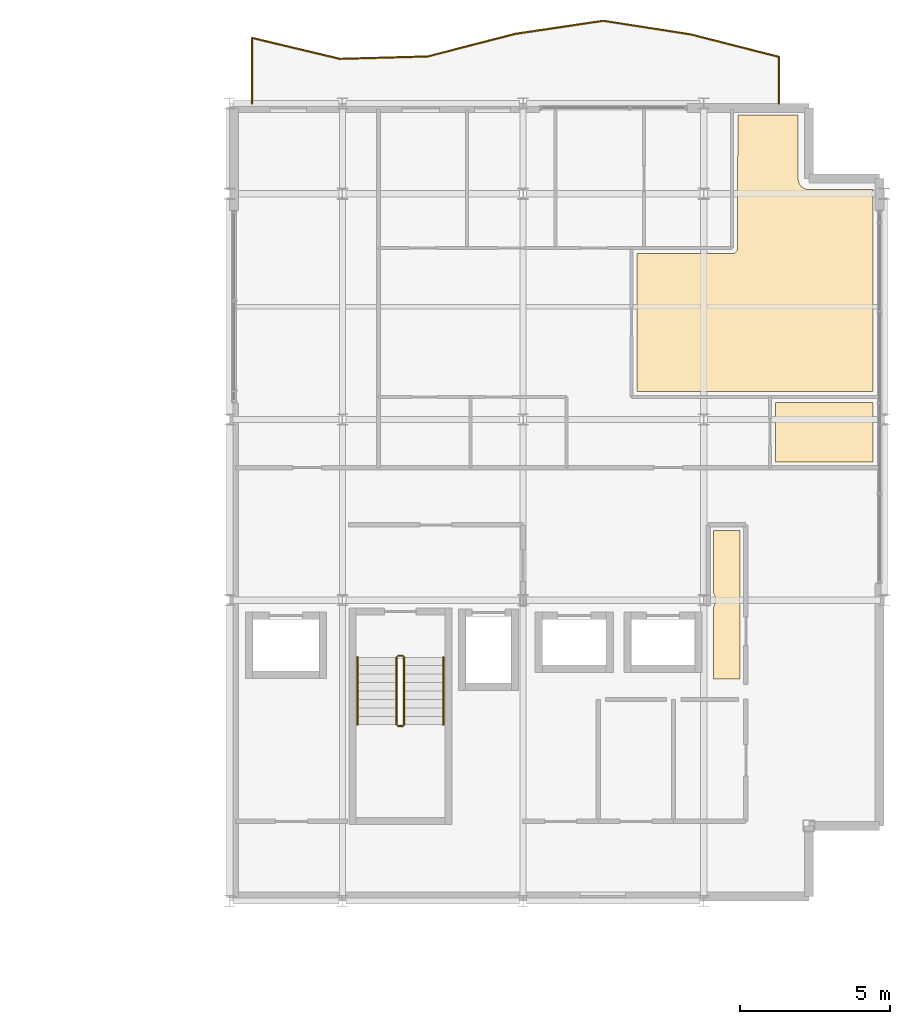
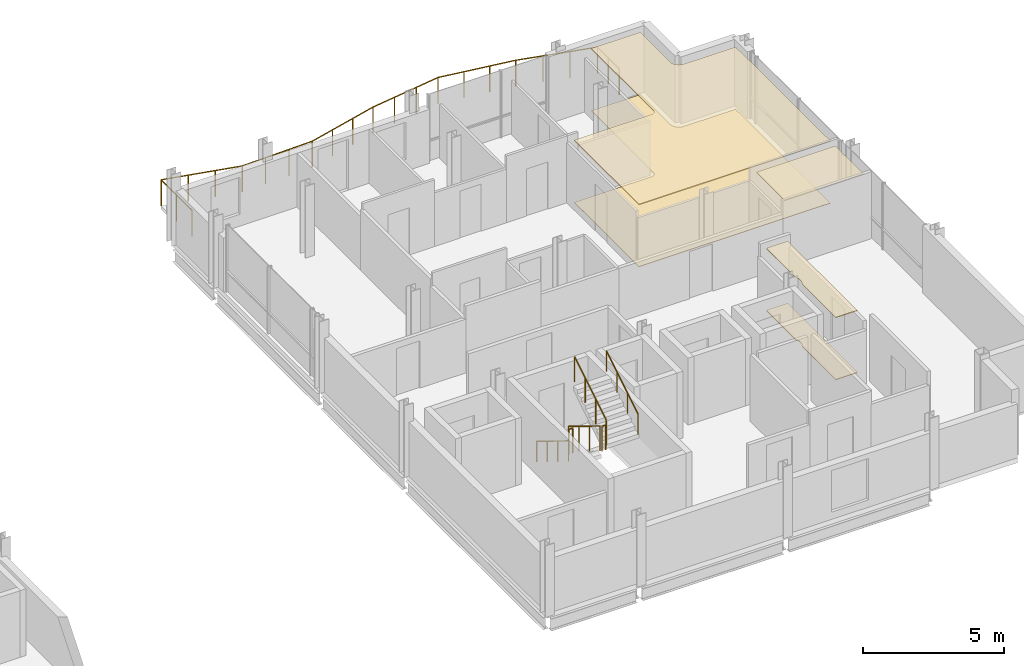
# One storey, part 29 of 29: 7 railings, 5 coverings.
"""IFC4 building model written with IfcOpenShell, lengths in metres."""

from ifc_helpers import new_model, si_unit, direction, frame, origin, origin_2d, place, context, subcontext, project, spatial, polyline, circle, outline, extrude, material, layer, layer_set, type_object, element, save


model = new_model("IFC4")

# Units and contexts
model_context = context("Model", 3, precision=1e-05, world=origin(), true_north=direction((0.0, 1.0)))
body_context = subcontext(model_context, "Body", "Model", "MODEL_VIEW")
ifc_project = project(units=[si_unit("LENGTHUNIT", "METRE"), si_unit("AREAUNIT", "SQUARE_METRE"), si_unit("VOLUMEUNIT", "CUBIC_METRE"), si_unit("PLANEANGLEUNIT", "RADIAN"), si_unit("MASSUNIT", "GRAM", prefix="KILO")], contexts=[model_context])

# Site, building, storey
site_placement = place(None, origin())
site = spatial("IfcSite", under=ifc_project, at=site_placement, CompositionType="ELEMENT")
building_placement = place(site_placement, origin())
building = spatial("IfcBuilding", under=site, at=building_placement, Name="Brevholm Reach", CompositionType="ELEMENT")
storey_placement = place(building_placement, frame((0.0, 0.0, 208.0)))
storey = spatial("IfcBuildingStorey", under=building, at=storey_placement, Name="L63", CompositionType="ELEMENT", Elevation=208.0)

# Coverings
ifc_material_1 = material(Name="Perforated Mineral-Fibre Class-A Acoustic Suspended Ceiling", Category="gypsum")
ifc_layer_1 = layer(ifc_material_1, 0.044921875)
ifc_layer_set_1 = layer_set([ifc_layer_1], Name="Perforated Mineral-Fibre Class-A Acoustic Suspended Ceiling")
covering_type_1 = type_object("IfcCoveringType", Name="COV-CLG-AC", PredefinedType="CEILING", material=ifc_layer_set_1)
covering_1_placement = place(storey_placement, frame((0.0, 0.0, 2.675048828125)))
element("IfcCovering", 1, at=covering_1_placement, inside=storey, type_object=covering_type_1, Name="L63 Suspended Ceiling L63-51", PredefinedType="CEILING", context=body_context, shape_type="SweptSolid", body=[
    extrude(outline(polyline([(51.780029296875, 16.929931640625), (51.780029296875, 21.51611328125), (54.952392578125, 21.516845703125), (54.97021484375, 21.517822265625), (54.98779296875, 21.5205078125), (55.0048828125, 21.524658203125), (55.021484375, 21.530517578125), (55.037353515625, 21.5380859375), (55.052490234375, 21.547119140625), (55.066650390625, 21.557861328125), (55.079833984375, 21.569580078125), (55.091552734375, 21.582763671875), (55.102294921875, 21.596923828125), (55.111083984375, 21.612060546875), (55.118896484375, 21.6279296875), (55.124755859375, 21.64453125), (55.12890625, 21.66162109375), (55.131591796875, 21.67919921875), (55.132568359375, 21.69677734375), (55.1337890625, 26.1201171875), (57.139892578125, 26.1201171875), (57.139892578125, 24.0), (57.140869140625, 23.982177734375), (57.144287109375, 23.947021484375), (57.14697265625, 23.9296875), (57.151123046875, 23.912841796875), (57.161376953125, 23.879150390625), (57.167236328125, 23.8623046875), (57.1748046875, 23.84619140625), (57.19140625, 23.815185546875), (57.20068359375, 23.800048828125), (57.211181640625, 23.785888671875), (57.2333984375, 23.758544921875), (57.245361328125, 23.745361328125), (57.258544921875, 23.7333984375), (57.285888671875, 23.711181640625), (57.300048828125, 23.70068359375), (57.315185546875, 23.69140625), (57.34619140625, 23.6748046875), (57.3623046875, 23.667236328125), (57.379150390625, 23.661376953125), (57.412841796875, 23.651123046875), (57.4296875, 23.64697265625), (57.447021484375, 23.644287109375), (57.482177734375, 23.640869140625), (57.5, 23.639892578125), (59.6201171875, 23.639892578125), (59.6201171875, 23.623779296875), (59.6171875, 23.6162109375), (59.607666015625, 23.577880859375), (59.601806640625, 23.539306640625), (59.60009765625, 23.5), (59.601806640625, 23.460693359375), (59.607666015625, 23.422119140625), (59.6171875, 23.3837890625), (59.6201171875, 23.376220703125), (59.6201171875, 16.93408203125), (56.199951171875, 16.93408203125), (56.182373046875, 16.93310546875), (56.164794921875, 16.930419921875), (56.16259765625, 16.929931640625), (51.780029296875, 16.929931640625)])), origin(), (0.0, 0.0, 1.0), 0.044921875),
])
ifc_material_2 = material(Name="Moisture-Resistant Skimmed Gypsum Plasterboard Ceiling", Category="gypsum")
ifc_layer_2 = layer(ifc_material_2, 0.030029296875)
ifc_layer_set_2 = layer_set([ifc_layer_2], Name="Moisture-Resistant Skimmed Gypsum Plasterboard Ceiling")
covering_type_2 = type_object("IfcCoveringType", Name="COV-CLG-GYP", PredefinedType="CEILING", material=ifc_layer_set_2)
covering_2_placement = place(storey_placement, frame((0.0, 0.0, 2.68994140625)))
element("IfcCovering", 2, at=covering_2_placement, inside=storey, type_object=covering_type_2, Name="L63 Suspended Ceiling L63-21", PredefinedType="CEILING", context=body_context, shape_type="SweptSolid", body=[
    extrude(outline(polyline([(54.330078125, 9.7626953125), (54.33056640625, 9.764892578125), (54.33251953125, 9.777587890625), (54.33251953125, 9.77783203125), (54.352783203125, 9.811279296875), (54.36962890625, 9.846923828125), (54.3828125, 9.8837890625), (54.392333984375, 9.922119140625), (54.398193359375, 9.960693359375), (54.39990234375, 10.0), (54.398193359375, 10.039306640625), (54.392333984375, 10.077880859375), (54.3828125, 10.1162109375), (54.36962890625, 10.153076171875), (54.352783203125, 10.188720703125), (54.333984375, 10.219970703125), (54.333984375, 12.320068359375), (55.216064453125, 12.320068359375), (55.216064453125, 7.3798828125), (54.330078125, 7.3798828125), (54.330078125, 9.7626953125)])), origin(), (0.0, 0.0, 1.0), 0.030029296875),
])
covering_3_placement = place(storey_placement, frame((0.0, 0.0, 2.68994140625)))
element("IfcCovering", 3, at=covering_3_placement, inside=storey, type_object=covering_type_2, Name="L63 Suspended Ceiling L63-46", PredefinedType="CEILING", context=body_context, shape_type="SweptSolid", body=[
    extrude(outline(polyline([(56.3798828125, 16.570068359375), (59.6201171875, 16.570068359375), (59.6201171875, 16.123779296875), (59.6171875, 16.1162109375), (59.607666015625, 16.077880859375), (59.601806640625, 16.039306640625), (59.60009765625, 16.0), (59.601806640625, 15.960693359375), (59.607666015625, 15.922119140625), (59.6171875, 15.8837890625), (59.6201171875, 15.876220703125), (59.6201171875, 14.583984375), (56.3798828125, 14.583984375), (56.3798828125, 16.570068359375)])), origin(), (0.0, 0.0, 1.0), 0.030029296875),
])
ifc_material_3 = material(Name="Engineered European Oak Acoustic Plank Flooring", Category="timber")
ifc_layer_3 = layer(ifc_material_3, 0.02197265625)
ifc_layer_set_3 = layer_set([ifc_layer_3], Name="Engineered European Oak Acoustic Plank Flooring")
covering_type_3 = type_object("IfcCoveringType", Name="COV-FLR-OAK", PredefinedType="FLOORING", material=ifc_layer_set_3)
covering_4_placement = place(storey_placement, origin())
element("IfcCovering", 4, at=covering_4_placement, inside=storey, type_object=covering_type_3, Name="L63 Floor Finish L63-51", PredefinedType="FLOORING", context=body_context, shape_type="SweptSolid", body=[
    extrude(outline(polyline([(51.780029296875, 16.929931640625), (51.780029296875, 21.51611328125), (54.952392578125, 21.516845703125), (54.97021484375, 21.517822265625), (54.98779296875, 21.5205078125), (55.0048828125, 21.524658203125), (55.021484375, 21.530517578125), (55.037353515625, 21.5380859375), (55.052490234375, 21.547119140625), (55.066650390625, 21.557861328125), (55.079833984375, 21.569580078125), (55.091552734375, 21.582763671875), (55.102294921875, 21.596923828125), (55.111083984375, 21.612060546875), (55.118896484375, 21.6279296875), (55.124755859375, 21.64453125), (55.12890625, 21.66162109375), (55.131591796875, 21.67919921875), (55.132568359375, 21.69677734375), (55.1337890625, 26.1201171875), (57.139892578125, 26.1201171875), (57.139892578125, 24.0), (57.140869140625, 23.982177734375), (57.144287109375, 23.947021484375), (57.14697265625, 23.9296875), (57.151123046875, 23.912841796875), (57.161376953125, 23.879150390625), (57.167236328125, 23.8623046875), (57.1748046875, 23.84619140625), (57.19140625, 23.815185546875), (57.20068359375, 23.800048828125), (57.211181640625, 23.785888671875), (57.2333984375, 23.758544921875), (57.245361328125, 23.745361328125), (57.258544921875, 23.7333984375), (57.285888671875, 23.711181640625), (57.300048828125, 23.70068359375), (57.315185546875, 23.69140625), (57.34619140625, 23.6748046875), (57.3623046875, 23.667236328125), (57.379150390625, 23.661376953125), (57.412841796875, 23.651123046875), (57.4296875, 23.64697265625), (57.447021484375, 23.644287109375), (57.482177734375, 23.640869140625), (57.5, 23.639892578125), (59.6201171875, 23.639892578125), (59.6201171875, 23.623779296875), (59.6171875, 23.6162109375), (59.607666015625, 23.577880859375), (59.601806640625, 23.539306640625), (59.60009765625, 23.5), (59.601806640625, 23.460693359375), (59.607666015625, 23.422119140625), (59.6171875, 23.3837890625), (59.6201171875, 23.376220703125), (59.6201171875, 16.93408203125), (56.199951171875, 16.93408203125), (56.182373046875, 16.93310546875), (56.164794921875, 16.930419921875), (56.16259765625, 16.929931640625), (51.780029296875, 16.929931640625)])), origin(), (0.0, 0.0, 1.0), 0.02197265625),
])
ifc_material_4 = material(Name="Honed Portland-Aggregate Resin Terrazzo Flooring", Category="concrete")
ifc_layer_4 = layer(ifc_material_4, 0.031982421875)
ifc_layer_set_4 = layer_set([ifc_layer_4], Name="Honed Portland-Aggregate Resin Terrazzo Flooring")
covering_type_4 = type_object("IfcCoveringType", Name="COV-FLR-TRZ", PredefinedType="FLOORING", material=ifc_layer_set_4)
covering_5_placement = place(storey_placement, origin())
element("IfcCovering", 5, at=covering_5_placement, inside=storey, type_object=covering_type_4, Name="L63 Floor Finish L63-21", PredefinedType="FLOORING", context=body_context, shape_type="SweptSolid", body=[
    extrude(outline(polyline([(54.330078125, 9.7626953125), (54.33056640625, 9.764892578125), (54.33251953125, 9.777587890625), (54.33251953125, 9.77783203125), (54.352783203125, 9.811279296875), (54.36962890625, 9.846923828125), (54.3828125, 9.8837890625), (54.392333984375, 9.922119140625), (54.398193359375, 9.960693359375), (54.39990234375, 10.0), (54.398193359375, 10.039306640625), (54.392333984375, 10.077880859375), (54.3828125, 10.1162109375), (54.36962890625, 10.153076171875), (54.352783203125, 10.188720703125), (54.333984375, 10.219970703125), (54.333984375, 12.320068359375), (55.216064453125, 12.320068359375), (55.216064453125, 7.3798828125), (54.330078125, 7.3798828125), (54.330078125, 9.7626953125)])), origin(), (0.0, 0.0, 1.0), 0.031982421875),
])

# Railings
ifc_material_5 = material(Name="Brushed Stainless Steel EN 1.4401 and Laminated Glass", Category="steel")
railing_type_1 = type_object("IfcRailingType", Name="RAL-BALC-1150", PredefinedType="BALUSTRADE", material=ifc_material_5)
railing_1_placement = place(storey_placement, frame((56.5, 26.5, 0.0)))
element("IfcRailing", 6, at=railing_1_placement, inside=storey, type_object=railing_type_1, Name="L63 Guard Balustrade RAL-L63-BAL-NE", PredefinedType="BALUSTRADE", context=body_context, shape_type="SweptSolid", body=[
    extrude(circle(Radius=0.02392578125, at=origin_2d()), frame((0.0, 0.0, 1.1259765625), z_axis=(0.0, 1.0, 0.0), x_axis=(-1.0, 0.0, 0.0)), (0.0, 0.0, 1.0), 1.55029296875),
    extrude(circle(Radius=0.02392578125, at=origin_2d()), frame((0.0, 1.55029296875, 1.1259765625), z_axis=(-0.968923500885, 0.24736056564, 0.0), x_axis=(-0.24736056564, -0.968923500885, 0.0)), (0.0, 0.0, 1.0), 3.01025390625),
    extrude(circle(Radius=0.02392578125, at=origin_2d()), frame((-2.916748046875, 2.294921875, 1.1259765625), z_axis=(-0.988044338858, 0.154169985571, 0.0), x_axis=(-0.154169985571, -0.988044338858, 0.0)), (0.0, 0.0, 1.0), 2.951904296875),
    extrude(circle(Radius=0.02392578125, at=origin_2d()), frame((-5.833251953125, 2.75, 1.1259765625), z_axis=(-0.989154508095, -0.146878722471, 0.0), x_axis=(0.146878722471, -0.989154508095, 0.0)), (0.0, 0.0, 1.0), 2.94873046875),
    extrude(circle(Radius=0.02392578125, at=origin_2d()), frame((-8.75, 2.31689453125, 1.1259765625), z_axis=(-0.968396782901, -0.249414656482, 0.0), x_axis=(0.249414656482, -0.968396782901, 0.0)), (0.0, 0.0, 1.0), 3.011962890625),
    extrude(circle(Radius=0.02392578125, at=origin_2d()), frame((-11.666748046875, 1.565673828125, 1.1259765625), z_axis=(-0.999614033457, -0.027781002771, 0.0), x_axis=(0.027781002771, -0.999614033457, 0.0)), (0.0, 0.0, 1.0), 2.917724609375),
    extrude(circle(Radius=0.02392578125, at=origin_2d()), frame((-14.583251953125, 1.484619140625, 1.1259765625), z_axis=(-0.972687280988, 0.232119480882, 0.0), x_axis=(-0.232119480882, -0.972687280988, 0.0)), (0.0, 0.0, 1.0), 2.99853515625),
    extrude(circle(Radius=0.02392578125, at=origin_2d()), frame((-17.5, 2.1806640625, 1.1259765625), z_axis=(0.0, -1.0, 0.0), x_axis=(1.0, 0.0, 0.0)), (0.0, 0.0, 1.0), 2.1806640625),
    extrude(circle(Radius=0.02099609375, at=origin_2d()), origin(), (0.0, 0.0, 1.0), 1.101806640625),
    extrude(circle(Radius=0.02099609375, at=origin_2d()), frame((0.0, 0.775146484375, 0.0)), (0.0, 0.0, 1.0), 1.101806640625),
    extrude(circle(Radius=0.02099609375, at=origin_2d()), frame((0.0, 1.55029296875, 0.0)), (0.0, 0.0, 1.0), 1.101806640625),
    extrude(circle(Radius=0.02099609375, at=origin_2d()), frame((-0.97216796875, 1.798583984375, 0.0)), (0.0, 0.0, 1.0), 1.101806640625),
    extrude(circle(Radius=0.02099609375, at=origin_2d()), frame((-1.944580078125, 2.046630859375, 0.0)), (0.0, 0.0, 1.0), 1.101806640625),
    extrude(circle(Radius=0.02099609375, at=origin_2d()), frame((-2.916748046875, 2.294921875, 0.0)), (0.0, 0.0, 1.0), 1.101806640625),
    extrude(circle(Radius=0.02099609375, at=origin_2d()), frame((-3.888916015625, 2.446533203125, 0.0)), (0.0, 0.0, 1.0), 1.101806640625),
    extrude(circle(Radius=0.02099609375, at=origin_2d()), frame((-4.861083984375, 2.598388671875, 0.0)), (0.0, 0.0, 1.0), 1.101806640625),
    extrude(circle(Radius=0.02099609375, at=origin_2d()), frame((-5.833251953125, 2.75, 0.0)), (0.0, 0.0, 1.0), 1.101806640625),
    extrude(circle(Radius=0.02099609375, at=origin_2d()), frame((-6.805419921875, 2.605712890625, 0.0)), (0.0, 0.0, 1.0), 1.101806640625),
    extrude(circle(Radius=0.02099609375, at=origin_2d()), frame((-7.77783203125, 2.461181640625, 0.0)), (0.0, 0.0, 1.0), 1.101806640625),
    extrude(circle(Radius=0.02099609375, at=origin_2d()), frame((-8.75, 2.31689453125, 0.0)), (0.0, 0.0, 1.0), 1.101806640625),
    extrude(circle(Radius=0.02099609375, at=origin_2d()), frame((-9.72216796875, 2.06640625, 0.0)), (0.0, 0.0, 1.0), 1.101806640625),
    extrude(circle(Radius=0.02099609375, at=origin_2d()), frame((-10.694580078125, 1.816162109375, 0.0)), (0.0, 0.0, 1.0), 1.101806640625),
    extrude(circle(Radius=0.02099609375, at=origin_2d()), frame((-11.666748046875, 1.565673828125, 0.0)), (0.0, 0.0, 1.0), 1.101806640625),
    extrude(circle(Radius=0.02099609375, at=origin_2d()), frame((-12.638916015625, 1.53857421875, 0.0)), (0.0, 0.0, 1.0), 1.101806640625),
    extrude(circle(Radius=0.02099609375, at=origin_2d()), frame((-13.611083984375, 1.51171875, 0.0)), (0.0, 0.0, 1.0), 1.101806640625),
    extrude(circle(Radius=0.02099609375, at=origin_2d()), frame((-14.583251953125, 1.484619140625, 0.0)), (0.0, 0.0, 1.0), 1.101806640625),
    extrude(circle(Radius=0.02099609375, at=origin_2d()), frame((-15.555419921875, 1.716552734375, 0.0)), (0.0, 0.0, 1.0), 1.101806640625),
    extrude(circle(Radius=0.02099609375, at=origin_2d()), frame((-16.52783203125, 1.94873046875, 0.0)), (0.0, 0.0, 1.0), 1.101806640625),
    extrude(circle(Radius=0.02099609375, at=origin_2d()), frame((-17.5, 2.1806640625, 0.0)), (0.0, 0.0, 1.0), 1.101806640625),
    extrude(circle(Radius=0.02099609375, at=origin_2d()), frame((-17.5, 1.09033203125, 0.0)), (0.0, 0.0, 1.0), 1.101806640625),
    extrude(circle(Radius=0.02099609375, at=origin_2d()), frame((-17.5, 0.0, 0.0)), (0.0, 0.0, 1.0), 1.101806640625),
])
ifc_material_6 = material(Name="Brushed Stainless Steel EN 1.4401 Continuous Handrail", Category="steel")
railing_type_2 = type_object("IfcRailingType", Name="RAL-HND-950", PredefinedType="HANDRAIL", material=ifc_material_6)
railing_2_placement = place(storey_placement, frame((42.5, 8.10009765625, 0.172119140625)))
element("IfcRailing", 7, at=railing_2_placement, inside=storey, type_object=railing_type_2, Name="L63 ST-2 stair handrail 1", PredefinedType="HANDRAIL", context=body_context, shape_type="SweptSolid", body=[
    extrude(circle(Radius=0.02392578125, at=origin_2d()), frame((0.0, 0.0, 0.8857421875), z_axis=(0.0, -0.851747552033, 0.523952390591), x_axis=(1.0, 0.0, 0.0)), (0.0, 0.0, 1.0), 2.6298828125),
    extrude(circle(Radius=0.02099609375, at=origin_2d()), origin(), (0.0, 0.0, 1.0), 0.86181640625),
    extrude(circle(Radius=0.02099609375, at=origin_2d()), frame((0.0, -0.74658203125, 0.459228515625)), (0.0, 0.0, 1.0), 0.86181640625),
    extrude(circle(Radius=0.02099609375, at=origin_2d()), frame((0.0, -1.493408203125, 0.918701171875)), (0.0, 0.0, 1.0), 0.86181640625),
    extrude(circle(Radius=0.02099609375, at=origin_2d()), frame((0.0, -2.239990234375, 1.3779296875)), (0.0, 0.0, 1.0), 0.86181640625),
])
railing_3_placement = place(storey_placement, frame((45.35009765625, 5.860107421875, 1.72216796875)))
element("IfcRailing", 8, at=railing_3_placement, inside=storey, type_object=railing_type_2, Name="L63 ST-2 stair handrail 2", PredefinedType="HANDRAIL", context=body_context, shape_type="SweptSolid", body=[
    extrude(circle(Radius=0.02392578125, at=origin_2d()), frame((0.0, 0.0, 0.8857421875), z_axis=(0.0, 0.851747552033, 0.523952390591), x_axis=(-1.0, 0.0, 0.0)), (0.0, 0.0, 1.0), 2.6298828125),
    extrude(circle(Radius=0.02099609375, at=origin_2d()), origin(), (0.0, 0.0, 1.0), 0.86181640625),
    extrude(circle(Radius=0.02099609375, at=origin_2d()), frame((0.0, 0.74658203125, 0.459228515625)), (0.0, 0.0, 1.0), 0.86181640625),
    extrude(circle(Radius=0.02099609375, at=origin_2d()), frame((0.0, 1.493408203125, 0.918701171875)), (0.0, 0.0, 1.0), 0.86181640625),
    extrude(circle(Radius=0.02099609375, at=origin_2d()), frame((0.0, 2.239990234375, 1.3779296875)), (0.0, 0.0, 1.0), 0.86181640625),
])
ifc_material_7 = material(Name="Painted Tubular Galvanised Steel S275JR Stair Guard", Category="steel")
railing_type_3 = type_object("IfcRailingType", Name="RAL-STG-1120", PredefinedType="BALUSTRADE", material=ifc_material_7)
railing_4_placement = place(storey_placement, frame((43.800048828125, 8.10009765625, 0.172119140625)))
element("IfcRailing", 9, at=railing_4_placement, inside=storey, type_object=railing_type_3, Name="L63 ST-2 stair guard 1", PredefinedType="BALUSTRADE", context=body_context, shape_type="SweptSolid", body=[
    extrude(circle(Radius=0.02392578125, at=origin_2d()), frame((0.0, 0.0, 1.076171875), z_axis=(0.0, -0.851747552033, 0.523952390591), x_axis=(1.0, 0.0, 0.0)), (0.0, 0.0, 1.0), 2.6298828125),
    extrude(circle(Radius=0.02099609375, at=origin_2d()), origin(), (0.0, 0.0, 1.0), 1.052001953125),
    extrude(circle(Radius=0.02099609375, at=origin_2d()), frame((0.0, -0.74658203125, 0.459228515625)), (0.0, 0.0, 1.0), 1.052001953125),
    extrude(circle(Radius=0.02099609375, at=origin_2d()), frame((0.0, -1.493408203125, 0.918701171875)), (0.0, 0.0, 1.0), 1.052001953125),
    extrude(circle(Radius=0.02099609375, at=origin_2d()), frame((0.0, -2.239990234375, 1.3779296875)), (0.0, 0.0, 1.0), 1.052001953125),
])
railing_5_placement = place(storey_placement, frame((43.85009765625, 5.81005859375, 1.550048828125)))
element("IfcRailing", 10, at=railing_5_placement, inside=storey, type_object=railing_type_3, Name="L63 ST-2 stair guard 2", PredefinedType="BALUSTRADE", context=body_context, shape_type="SweptSolid", body=[
    extrude(circle(Radius=0.02392578125, at=origin_2d()), frame((0.0, 0.0, 1.076171875), z_axis=(1.0, 0.0, 0.0), x_axis=(0.0, 1.0, 0.0)), (0.0, 0.0, 1.0), 0.14990234375),
    extrude(circle(Radius=0.02099609375, at=origin_2d()), origin(), (0.0, 0.0, 1.0), 1.052001953125),
    extrude(circle(Radius=0.02099609375, at=origin_2d()), frame((0.14990234375, 0.0, 0.0)), (0.0, 0.0, 1.0), 1.052001953125),
])
railing_6_placement = place(storey_placement, frame((44.050048828125, 5.860107421875, 1.72216796875)))
element("IfcRailing", 11, at=railing_6_placement, inside=storey, type_object=railing_type_3, Name="L63 ST-2 stair guard 3", PredefinedType="BALUSTRADE", context=body_context, shape_type="SweptSolid", body=[
    extrude(circle(Radius=0.02392578125, at=origin_2d()), frame((0.0, 0.0, 1.076171875), z_axis=(0.0, 0.851747552033, 0.523952390591), x_axis=(-1.0, 0.0, 0.0)), (0.0, 0.0, 1.0), 2.6298828125),
    extrude(circle(Radius=0.02099609375, at=origin_2d()), origin(), (0.0, 0.0, 1.0), 1.052001953125),
    extrude(circle(Radius=0.02099609375, at=origin_2d()), frame((0.0, 0.74658203125, 0.459228515625)), (0.0, 0.0, 1.0), 1.052001953125),
    extrude(circle(Radius=0.02099609375, at=origin_2d()), frame((0.0, 1.493408203125, 0.918701171875)), (0.0, 0.0, 1.0), 1.052001953125),
    extrude(circle(Radius=0.02099609375, at=origin_2d()), frame((0.0, 2.239990234375, 1.3779296875)), (0.0, 0.0, 1.0), 1.052001953125),
])
railing_7_placement = place(storey_placement, frame((43.85009765625, 8.14990234375, 0.0)))
element("IfcRailing", 12, at=railing_7_placement, inside=storey, type_object=railing_type_3, Name="L63 ST-2 stair guard 4", PredefinedType="BALUSTRADE", context=body_context, shape_type="SweptSolid", body=[
    extrude(circle(Radius=0.02392578125, at=origin_2d()), frame((0.0, 0.0, 1.076171875), z_axis=(1.0, 0.0, 0.0), x_axis=(0.0, 1.0, 0.0)), (0.0, 0.0, 1.0), 0.14990234375),
    extrude(circle(Radius=0.02099609375, at=origin_2d()), origin(), (0.0, 0.0, 1.0), 1.052001953125),
    extrude(circle(Radius=0.02099609375, at=origin_2d()), frame((0.14990234375, 0.0, 0.0)), (0.0, 0.0, 1.0), 1.052001953125),
])

save(model, "model.ifc")
